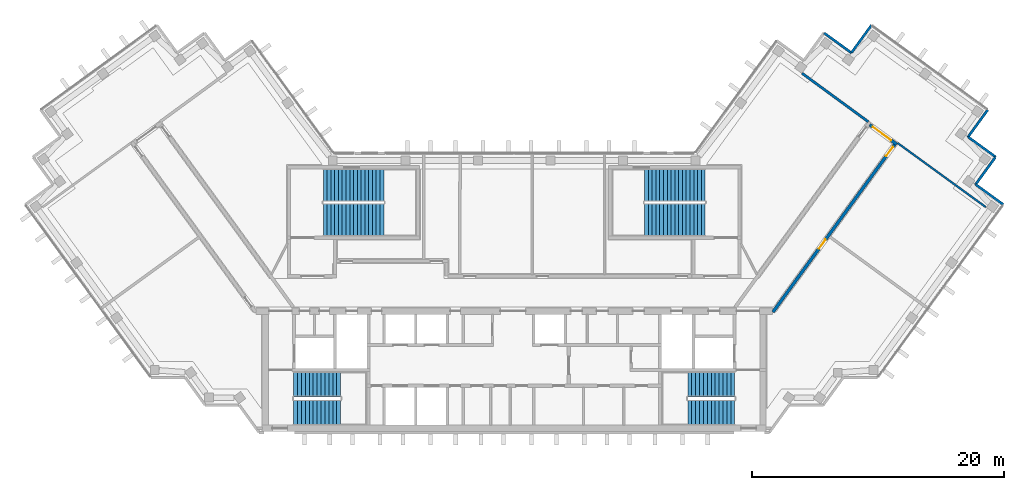
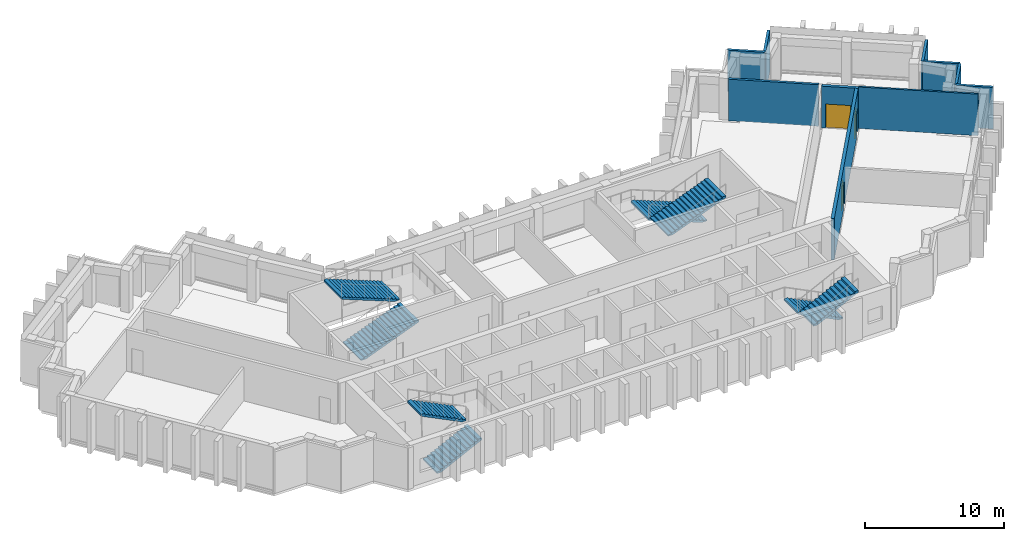
# One storey, part 7 of 9: 10 walls, 8 stair flights, 3 doors, 3 openings, 4 elements without a shape of their own.
"""IFC4 building model written with IfcOpenShell, lengths in metres."""

from ifc_helpers import new_model, si_unit, direction, frame, frame_2d, origin, place, context, subcontext, project, spatial, polyline, rectangle, outline, extrude, material, layer, layer_set, type_object, element, fill, aggregate, save


model = new_model("IFC4")

# Units and contexts
model_context = context("Model", 3, precision=1e-05, world=origin(), true_north=direction((0.0, 1.0)))
body_context = subcontext(model_context, "Body", "Model", "MODEL_VIEW")
ifc_project = project(units=[si_unit("LENGTHUNIT", "METRE"), si_unit("AREAUNIT", "SQUARE_METRE"), si_unit("VOLUMEUNIT", "CUBIC_METRE"), si_unit("PLANEANGLEUNIT", "RADIAN"), si_unit("MASSUNIT", "GRAM", prefix="KILO")], contexts=[model_context])

# Site, building, storey
site_placement = place(None, origin())
site = spatial("IfcSite", under=ifc_project, at=site_placement, CompositionType="ELEMENT")
building_placement = place(site_placement, origin())
building = spatial("IfcBuilding", under=site, at=building_placement, Name="Quipu Civic Tower", CompositionType="ELEMENT")
storey_placement = place(building_placement, frame((0.0, 0.0, 331.0)))
storey = spatial("IfcBuildingStorey", under=building, at=storey_placement, Name="L77", CompositionType="ELEMENT", Elevation=331.0)

# Walls
ifc_material_1 = material(Name="Double gypsum plasterboard with mineral wool")
ifc_layer_1 = layer(ifc_material_1, 0.14990234375)
ifc_layer_set_1 = layer_set([ifc_layer_1], Name="Double gypsum plasterboard with mineral wool")
wall_type_1 = type_object("IfcWallType", Name="Acoustic partition 150 plasterboard", PredefinedType="PARTITIONING", material=ifc_layer_set_1)
wall_1_placement = place(storey_placement, frame((30.414794921875, 11.901611328125, 0.0), z_axis=(0.0, 0.0, 1.0), x_axis=(0.809020922653, -0.587779845444, 0.0)))
element("IfcWall", 1, at=wall_1_placement, inside=storey, type_object=wall_type_1, Name="Partition P01", PredefinedType="PARTITIONING", context=body_context, shape_type="SweptSolid", body=[
    extrude(rectangle(XDim=8.670166015625, YDim=0.14990234375, at=frame_2d((4.3349609375, 0.0))), origin(), (0.0, 0.0, 1.0), 3.64990234375),
])
ifc_material_2 = material(Name="Fired clay blockwork", Category="masonry")
ifc_layer_2 = layer(ifc_material_2, 0.199951171875)
ifc_layer_set_2 = layer_set([ifc_layer_2], Name="Fired clay blockwork")
wall_type_2 = type_object("IfcWallType", Name="Blockwork wall 200", PredefinedType="SOLIDWALL", material=ifc_layer_set_2)
wall_2_placement = place(storey_placement, frame((22.843505859375, 17.43017578125, 0.0), z_axis=(0.0, 0.0, 1.0), x_axis=(0.80699548015, -0.590557613631, 0.0)))
element("IfcWall", 2, at=wall_2_placement, inside=storey, type_object=wall_type_2, Name="Partition P02", PredefinedType="SOLIDWALL", context=body_context, shape_type="SweptSolid", body=[
    extrude(rectangle(XDim=6.515380859375, YDim=0.199951171875, at=frame_2d((3.2578125, 0.0))), origin(), (0.0, 0.0, 1.0), 3.64990234375),
])

# Wall, opening, door
ifc_material_3 = material(Name="Concrete C50/60", Category="concrete")
ifc_layer_3 = layer(ifc_material_3, 0.25)
ifc_layer_set_3 = layer_set([ifc_layer_3], Name="Concrete C50/60")
wall_type_3 = type_object("IfcWallType", Name="Corridor wall 250 concrete", PredefinedType="SOLIDWALL", material=ifc_layer_set_3)
wall_3_placement = place(storey_placement, frame((28.21337890625, 13.34619140625, 0.0), z_axis=(0.0, 0.0, 1.0), x_axis=(0.809006914995, -0.587799125119, 0.0)))
wall_3 = element("IfcWall", 3, at=wall_3_placement, inside=storey, type_object=wall_type_3, Name="Corridor wall C02", PredefinedType="SOLIDWALL", context=body_context, shape_type="SweptSolid", body=[
    extrude(rectangle(XDim=2.64990234375, YDim=0.25, at=frame_2d((1.324951171875, 0.0))), origin(), (0.0, 0.0, 1.0), 3.64990234375),
])
opening_1_placement = place(wall_3_placement, frame((0.30029296875, 0.0, 0.0)))
opening_1 = element("IfcOpeningElement", 4, at=opening_1_placement, cuts=wall_3, Name="Opening D004", PredefinedType="OPENING", context=body_context, shape_type="SweptSolid", body=[
    extrude(rectangle(XDim=1.800048828125, YDim=2.10009765625, at=frame_2d((0.89990234375, 1.050048828125))), frame((0.0, 0.135009765625, 0.0), z_axis=(0.0, -1.0, 0.0), x_axis=(1.0, 0.0, 0.0)), (0.0, 0.0, 1.0), 0.27001953125),
])
ifc_material_4 = material(Name="Fire rated timber door set with metal frame", Category="wood")
door_type_1 = type_object("IfcDoorType", Name="Double door 1800 x 2100 FD60", OperationType="DOUBLE_DOOR_SINGLE_SWING", PredefinedType="DOOR", material=ifc_material_4)
door_1_placement = place(opening_1_placement, origin())
door_1 = element("IfcDoor", 5, at=door_1_placement, inside=storey, type_object=door_type_1, Name="Door D004", OperationType="DOUBLE_DOOR_SINGLE_SWING", OverallHeight=2.10009765625, OverallWidth=1.800048828125, PredefinedType="DOOR", context=body_context, shape_type="SweptSolid", body=[
    extrude(rectangle(XDim=1.800048828125, YDim=2.10009765625, at=frame_2d((0.89990234375, 1.050048828125))), frame((0.0, 0.02490234375, 0.0), z_axis=(0.0, -1.0, 0.0), x_axis=(1.0, 0.0, 0.0)), (0.0, 0.0, 1.0), 0.050048828125),
])
fill(opening_1, door_1)

# Wall, openings, doors
wall_4_placement = place(storey_placement, frame((30.1826171875, 11.760986328125, 0.0), z_axis=(0.0, 0.0, 1.0), x_axis=(-0.587781762867, -0.80901952958, 0.0)))
wall_4 = element("IfcWall", 6, at=wall_4_placement, inside=storey, type_object=wall_type_3, Name="Corridor wall C03", PredefinedType="SOLIDWALL", context=body_context, shape_type="SweptSolid", body=[
    extrude(rectangle(XDim=16.42041015625, YDim=0.25, at=frame_2d((8.210205078125, 0.0))), origin(), (0.0, 0.0, 1.0), 3.64990234375),
])
opening_2_placement = place(wall_4_placement, frame((0.224609375, 0.0, 0.0)))
opening_2 = element("IfcOpeningElement", 7, at=opening_2_placement, cuts=wall_4, Name="Opening D003", PredefinedType="OPENING", context=body_context, shape_type="SweptSolid", body=[
    extrude(rectangle(XDim=0.89990234375, YDim=2.10009765625, at=frame_2d((0.449951171875, 1.050048828125))), frame((0.0, 0.135009765625, 0.0), z_axis=(0.0, -1.0, 0.0), x_axis=(1.0, 0.0, 0.0)), (0.0, 0.0, 1.0), 0.27001953125),
])
opening_3_placement = place(wall_4_placement, frame((9.304443359375, 0.0, 0.0)))
opening_3 = element("IfcOpeningElement", 8, at=opening_3_placement, cuts=wall_4, Name="Opening D002", PredefinedType="OPENING", context=body_context, shape_type="SweptSolid", body=[
    extrude(rectangle(XDim=0.89990234375, YDim=2.10009765625, at=frame_2d((0.449951171875, 1.050048828125))), frame((0.0, 0.135009765625, 0.0), z_axis=(0.0, -1.0, 0.0), x_axis=(1.0, 0.0, 0.0)), (0.0, 0.0, 1.0), 0.27001953125),
])
ifc_material_5 = material(Name="Fire rated timber door set with metal frame", Category="wood")
door_type_2 = type_object("IfcDoorType", Name="Single door 900 x 2100 FD60", OperationType="NOTDEFINED", PredefinedType="DOOR", material=ifc_material_5)
door_2_placement = place(opening_2_placement, origin())
door_2 = element("IfcDoor", 9, at=door_2_placement, inside=storey, type_object=door_type_2, Name="Door D003", OperationType="SINGLE_SWING_LEFT", OverallHeight=2.10009765625, OverallWidth=0.89990234375, PredefinedType="DOOR", context=body_context, shape_type="SweptSolid", body=[
    extrude(rectangle(XDim=0.89990234375, YDim=2.10009765625, at=frame_2d((0.449951171875, 1.050048828125))), frame((0.0, 0.02490234375, 0.0), z_axis=(0.0, -1.0, 0.0), x_axis=(1.0, 0.0, 0.0)), (0.0, 0.0, 1.0), 0.050048828125),
])
fill(opening_2, door_2)
door_3_placement = place(opening_3_placement, origin())
door_3 = element("IfcDoor", 10, at=door_3_placement, inside=storey, type_object=door_type_2, Name="Door D002", OperationType="SINGLE_SWING_LEFT", OverallHeight=2.10009765625, OverallWidth=0.89990234375, PredefinedType="DOOR", context=body_context, shape_type="SweptSolid", body=[
    extrude(rectangle(XDim=0.89990234375, YDim=2.10009765625, at=frame_2d((0.449951171875, 1.050048828125))), frame((0.0, 0.02490234375, 0.0), z_axis=(0.0, -1.0, 0.0), x_axis=(1.0, 0.0, 0.0)), (0.0, 0.0, 1.0), 0.050048828125),
])
fill(opening_3, door_3)

# Walls
ifc_material_6 = material(Name="Precast concrete C40/50", Category="concrete")
wall_type_4 = type_object("IfcWallType", Name="Precast cladding wall", PredefinedType="SOLIDWALL", material=ifc_material_6)
for number, where, z_axis, x_axis, name in (
    (11, (38.813720703125, 7.010498046875, 0.0), (0.0, 0.0, 1.0), (-0.809033161865, 0.587762999008, 0.0), "Precast cladding wall L77 P05"),
    (12, (36.60205078125, 8.580322265625, 0.0), (0.0, 0.0, 1.0), (0.587822180636, 0.808990163075, 0.0), "Precast cladding wall L77 P06"),
    (13, (38.21630859375, 10.78173828125, 0.0), (0.0, 0.0, 1.0), (-0.809033161865, 0.587762999008, 0.0), "Precast cladding wall L77 P07"),
    (14, (36.0048828125, 12.3515625, 0.0), (0.0, 0.0, 1.0), (0.587762999008, 0.809033161865, 0.0), "Precast cladding wall L77 20"),
):
    element("IfcWall", number, at=place(storey_placement, frame(where, z_axis=z_axis, x_axis=x_axis)), inside=storey, type_object=wall_type_4, Name=name, PredefinedType="SOLIDWALL", context=body_context, shape_type="SweptSolid", body=[
        extrude(rectangle(XDim=2.699951171875, YDim=0.199951171875, at=frame_2d((1.35009765625, 0.0))), origin(), (0.0, 0.0, 1.0), 3.64990234375),
    ])
for number, where, z_axis, x_axis, name in (
    (15, (28.3544921875, 21.247314453125, 0.0), (0.0, 0.0, 1.0), (-0.587720002413, -0.809064397168, 0.0), "Precast cladding wall L77 22"),
    (16, (26.78466796875, 19.03564453125, 0.0), (0.0, 0.0, 1.0), (-0.809064397168, 0.587720002413, 0.0), "Precast cladding wall L77 23"),
):
    element("IfcWall", number, at=place(storey_placement, frame(where, z_axis=z_axis, x_axis=x_axis)), inside=storey, type_object=wall_type_4, Name=name, PredefinedType="SOLIDWALL", context=body_context, shape_type="SweptSolid", body=[
        extrude(rectangle(XDim=2.7001953125, YDim=0.199951171875, at=frame_2d((1.35009765625, 0.0))), origin(), (0.0, 0.0, 1.0), 3.64990234375),
    ])

# Stair, stair flights
ifc_material_7 = material(Name="Concrete C40/50", Category="concrete")
stair_type_1 = type_object("IfcStairType", Name="Half turn stair 2000", PredefinedType="HALF_TURN_STAIR", material=ifc_material_7)
stair_1_placement = place(storey_placement, origin())
stair_1 = element("IfcStair", 17, at=stair_1_placement, inside=storey, type_object=stair_type_1, Name="Exit stair 1", PredefinedType="HALF_TURN_STAIR")
ifc_material_8 = material(Name="Concrete C40/50", Category="concrete")
stair_flight_type_1 = type_object("IfcStairFlightType", Name="Stair flight 2000", PredefinedType="STRAIGHT", material=ifc_material_8)
stair_flight_1_placement = place(storey_placement, frame((-17.5, -9.5, 0.0), z_axis=(0.0, 0.0, 1.0), x_axis=(1.0, 0.0, 0.0)))
stair_flight_1 = element("IfcStairFlight", 18, at=stair_flight_1_placement, type_object=stair_flight_type_1, Name="ST-1 flight 1", NumberOfRisers=13, NumberOfTreads=12, PredefinedType="STRAIGHT", RiserHeight=0.153846154, TreadLength=0.31, context=body_context, shape_type="SweptSolid", body=[
    extrude(outline(polyline([(0.0, 0.0), (0.0, 0.15380859375), (0.31005859375, 0.15380859375), (0.31005859375, 0.3076171875), (0.6201171875, 0.3076171875), (0.6201171875, 0.46142578125), (0.929931640625, 0.46142578125), (0.929931640625, 0.615478515625), (1.239990234375, 0.615478515625), (1.239990234375, 0.769287109375), (1.550048828125, 0.769287109375), (1.550048828125, 0.923095703125), (1.860107421875, 0.923095703125), (1.860107421875, 1.076904296875), (2.169921875, 1.076904296875), (2.169921875, 1.230712890625), (2.47998046875, 1.230712890625), (2.47998046875, 1.384521484375), (2.7900390625, 1.384521484375), (2.7900390625, 1.53857421875), (3.10009765625, 1.53857421875), (3.10009765625, 1.6923828125), (3.409912109375, 1.6923828125), (3.409912109375, 1.84619140625), (3.719970703125, 1.84619140625), (3.719970703125, 2.0), (3.719970703125, 1.6787109375), (0.337158203125, 0.0), (0.0, 0.0)])), frame((0.0, 1.0, 0.0), z_axis=(0.0, -1.0, 0.0), x_axis=(1.0, 0.0, 0.0)), (0.0, 0.0, 1.0), 2.0),
])
stair_flight_2_placement = place(storey_placement, frame((-13.780029296875, -7.25, 2.0), z_axis=(0.0, 0.0, 1.0), x_axis=(-1.0, 0.0, 0.0)))
stair_flight_2 = element("IfcStairFlight", 19, at=stair_flight_2_placement, type_object=stair_flight_type_1, Name="ST-1 flight 2", NumberOfRisers=13, NumberOfTreads=12, PredefinedType="STRAIGHT", RiserHeight=0.153846154, TreadLength=0.31, context=body_context, shape_type="SweptSolid", body=[
    extrude(outline(polyline([(0.0, 0.0), (0.0, 0.15380859375), (0.31005859375, 0.15380859375), (0.31005859375, 0.3076171875), (0.6201171875, 0.3076171875), (0.6201171875, 0.46142578125), (0.929931640625, 0.46142578125), (0.929931640625, 0.615478515625), (1.239990234375, 0.615478515625), (1.239990234375, 0.769287109375), (1.550048828125, 0.769287109375), (1.550048828125, 0.923095703125), (1.860107421875, 0.923095703125), (1.860107421875, 1.076904296875), (2.169921875, 1.076904296875), (2.169921875, 1.230712890625), (2.47998046875, 1.230712890625), (2.47998046875, 1.384521484375), (2.7900390625, 1.384521484375), (2.7900390625, 1.53857421875), (3.10009765625, 1.53857421875), (3.10009765625, 1.6923828125), (3.409912109375, 1.6923828125), (3.409912109375, 1.84619140625), (3.719970703125, 1.84619140625), (3.719970703125, 2.0), (3.719970703125, 1.6787109375), (0.337158203125, 0.0), (0.0, 0.0)])), frame((0.0, 1.0, 0.0), z_axis=(0.0, -1.0, 0.0), x_axis=(1.0, 0.0, 0.0)), (0.0, 0.0, 1.0), 2.0),
])
aggregate(stair_1, [stair_flight_1, stair_flight_2])

stair_2_placement = place(storey_placement, origin())
stair_2 = element("IfcStair", 20, at=stair_2_placement, inside=storey, type_object=stair_type_1, Name="Exit stair 2", PredefinedType="HALF_TURN_STAIR")
stair_flight_3_placement = place(storey_placement, frame((17.5, -7.25, 0.0), z_axis=(0.0, 0.0, 1.0), x_axis=(-1.0, 0.0, 0.0)))
stair_flight_3 = element("IfcStairFlight", 21, at=stair_flight_3_placement, type_object=stair_flight_type_1, Name="ST-2 flight 1", NumberOfRisers=13, NumberOfTreads=12, PredefinedType="STRAIGHT", RiserHeight=0.153846154, TreadLength=0.31, context=body_context, shape_type="SweptSolid", body=[
    extrude(outline(polyline([(0.0, 0.0), (0.0, 0.15380859375), (0.31005859375, 0.15380859375), (0.31005859375, 0.3076171875), (0.6201171875, 0.3076171875), (0.6201171875, 0.46142578125), (0.929931640625, 0.46142578125), (0.929931640625, 0.615478515625), (1.239990234375, 0.615478515625), (1.239990234375, 0.769287109375), (1.550048828125, 0.769287109375), (1.550048828125, 0.923095703125), (1.860107421875, 0.923095703125), (1.860107421875, 1.076904296875), (2.169921875, 1.076904296875), (2.169921875, 1.230712890625), (2.47998046875, 1.230712890625), (2.47998046875, 1.384521484375), (2.7900390625, 1.384521484375), (2.7900390625, 1.53857421875), (3.10009765625, 1.53857421875), (3.10009765625, 1.6923828125), (3.409912109375, 1.6923828125), (3.409912109375, 1.84619140625), (3.719970703125, 1.84619140625), (3.719970703125, 2.0), (3.719970703125, 1.6787109375), (0.337158203125, 0.0), (0.0, 0.0)])), frame((0.0, 1.0, 0.0), z_axis=(0.0, -1.0, 0.0), x_axis=(1.0, 0.0, 0.0)), (0.0, 0.0, 1.0), 2.0),
])
stair_flight_4_placement = place(storey_placement, frame((13.780029296875, -9.5, 2.0), z_axis=(0.0, 0.0, 1.0), x_axis=(1.0, 0.0, 0.0)))
stair_flight_4 = element("IfcStairFlight", 22, at=stair_flight_4_placement, type_object=stair_flight_type_1, Name="ST-2 flight 2", NumberOfRisers=13, NumberOfTreads=12, PredefinedType="STRAIGHT", RiserHeight=0.153846154, TreadLength=0.31, context=body_context, shape_type="SweptSolid", body=[
    extrude(outline(polyline([(0.0, 0.0), (0.0, 0.15380859375), (0.31005859375, 0.15380859375), (0.31005859375, 0.3076171875), (0.6201171875, 0.3076171875), (0.6201171875, 0.46142578125), (0.929931640625, 0.46142578125), (0.929931640625, 0.615478515625), (1.239990234375, 0.615478515625), (1.239990234375, 0.769287109375), (1.550048828125, 0.769287109375), (1.550048828125, 0.923095703125), (1.860107421875, 0.923095703125), (1.860107421875, 1.076904296875), (2.169921875, 1.076904296875), (2.169921875, 1.230712890625), (2.47998046875, 1.230712890625), (2.47998046875, 1.384521484375), (2.7900390625, 1.384521484375), (2.7900390625, 1.53857421875), (3.10009765625, 1.53857421875), (3.10009765625, 1.6923828125), (3.409912109375, 1.6923828125), (3.409912109375, 1.84619140625), (3.719970703125, 1.84619140625), (3.719970703125, 2.0), (3.719970703125, 1.6787109375), (0.337158203125, 0.0), (0.0, 0.0)])), frame((0.0, 1.0, 0.0), z_axis=(0.0, -1.0, 0.0), x_axis=(1.0, 0.0, 0.0)), (0.0, 0.0, 1.0), 2.0),
])
aggregate(stair_2, [stair_flight_3, stair_flight_4])

ifc_material_9 = material(Name="Concrete C40/50", Category="concrete")
stair_type_2 = type_object("IfcStairType", Name="Half turn stair 2600", PredefinedType="HALF_TURN_STAIR", material=ifc_material_9)
stair_3_placement = place(storey_placement, origin())
stair_3 = element("IfcStair", 23, at=stair_3_placement, inside=storey, type_object=stair_type_2, Name="Exit stair 3", PredefinedType="HALF_TURN_STAIR")
ifc_material_10 = material(Name="Concrete C40/50", Category="concrete")
stair_flight_type_2 = type_object("IfcStairFlightType", Name="Stair flight 2600", PredefinedType="STRAIGHT", material=ifc_material_10)
stair_flight_5_placement = place(storey_placement, frame((-15.14990234375, 5.800048828125, 0.0), z_axis=(0.0, 0.0, 1.0), x_axis=(1.0, 0.0, 0.0)))
stair_flight_5 = element("IfcStairFlight", 24, at=stair_flight_5_placement, type_object=stair_flight_type_2, Name="ST-3 flight 1", NumberOfRisers=17, NumberOfTreads=16, PredefinedType="STRAIGHT", RiserHeight=0.117647059, TreadLength=0.3, context=body_context, shape_type="SweptSolid", body=[
    extrude(outline(polyline([(0.0, 0.0), (0.0, 0.11767578125), (0.300048828125, 0.11767578125), (0.300048828125, 0.2353515625), (0.60009765625, 0.2353515625), (0.60009765625, 0.35302734375), (0.89990234375, 0.35302734375), (0.89990234375, 0.470703125), (1.199951171875, 0.470703125), (1.199951171875, 0.588134765625), (1.5, 0.588134765625), (1.5, 0.705810546875), (1.800048828125, 0.705810546875), (1.800048828125, 0.823486328125), (2.10009765625, 0.823486328125), (2.10009765625, 0.941162109375), (2.39990234375, 0.941162109375), (2.39990234375, 1.058837890625), (2.699951171875, 1.058837890625), (2.699951171875, 1.176513671875), (3.0, 1.176513671875), (3.0, 1.294189453125), (3.300048828125, 1.294189453125), (3.300048828125, 1.411865234375), (3.60009765625, 1.411865234375), (3.60009765625, 1.529296875), (3.89990234375, 1.529296875), (3.89990234375, 1.64697265625), (4.199951171875, 1.64697265625), (4.199951171875, 1.7646484375), (4.5, 1.7646484375), (4.5, 1.88232421875), (4.800048828125, 1.88232421875), (4.800048828125, 2.0), (4.800048828125, 1.721435546875), (0.41064453125, 0.0), (0.0, 0.0)])), frame((0.0, 1.300048828125, 0.0), z_axis=(0.0, -1.0, 0.0), x_axis=(1.0, 0.0, 0.0)), (0.0, 0.0, 1.0), 2.60009765625),
])
stair_flight_6_placement = place(storey_placement, frame((-10.35009765625, 8.550048828125, 2.0), z_axis=(0.0, 0.0, 1.0), x_axis=(-1.0, 0.0, 0.0)))
stair_flight_6 = element("IfcStairFlight", 25, at=stair_flight_6_placement, type_object=stair_flight_type_2, Name="ST-3 flight 2", NumberOfRisers=17, NumberOfTreads=16, PredefinedType="STRAIGHT", RiserHeight=0.117647059, TreadLength=0.3, context=body_context, shape_type="SweptSolid", body=[
    extrude(outline(polyline([(0.0, 0.0), (0.0, 0.11767578125), (0.300048828125, 0.11767578125), (0.300048828125, 0.2353515625), (0.60009765625, 0.2353515625), (0.60009765625, 0.35302734375), (0.89990234375, 0.35302734375), (0.89990234375, 0.470703125), (1.199951171875, 0.470703125), (1.199951171875, 0.588134765625), (1.5, 0.588134765625), (1.5, 0.705810546875), (1.800048828125, 0.705810546875), (1.800048828125, 0.823486328125), (2.10009765625, 0.823486328125), (2.10009765625, 0.941162109375), (2.39990234375, 0.941162109375), (2.39990234375, 1.058837890625), (2.699951171875, 1.058837890625), (2.699951171875, 1.176513671875), (3.0, 1.176513671875), (3.0, 1.294189453125), (3.300048828125, 1.294189453125), (3.300048828125, 1.411865234375), (3.60009765625, 1.411865234375), (3.60009765625, 1.529296875), (3.89990234375, 1.529296875), (3.89990234375, 1.64697265625), (4.199951171875, 1.64697265625), (4.199951171875, 1.7646484375), (4.5, 1.7646484375), (4.5, 1.88232421875), (4.800048828125, 1.88232421875), (4.800048828125, 2.0), (4.800048828125, 1.721435546875), (0.41064453125, 0.0), (0.0, 0.0)])), frame((0.0, 1.300048828125, 0.0), z_axis=(0.0, -1.0, 0.0), x_axis=(1.0, 0.0, 0.0)), (0.0, 0.0, 1.0), 2.60009765625),
])
aggregate(stair_3, [stair_flight_5, stair_flight_6])

stair_4_placement = place(storey_placement, origin())
stair_4 = element("IfcStair", 26, at=stair_4_placement, inside=storey, type_object=stair_type_2, Name="Exit stair 4", PredefinedType="HALF_TURN_STAIR")
stair_flight_7_placement = place(storey_placement, frame((15.14990234375, 8.550048828125, 0.0), z_axis=(0.0, 0.0, 1.0), x_axis=(-1.0, 0.0, 0.0)))
stair_flight_7 = element("IfcStairFlight", 27, at=stair_flight_7_placement, type_object=stair_flight_type_2, Name="ST-4 flight 1", NumberOfRisers=17, NumberOfTreads=16, PredefinedType="STRAIGHT", RiserHeight=0.117647059, TreadLength=0.3, context=body_context, shape_type="SweptSolid", body=[
    extrude(outline(polyline([(0.0, 0.0), (0.0, 0.11767578125), (0.300048828125, 0.11767578125), (0.300048828125, 0.2353515625), (0.60009765625, 0.2353515625), (0.60009765625, 0.35302734375), (0.89990234375, 0.35302734375), (0.89990234375, 0.470703125), (1.199951171875, 0.470703125), (1.199951171875, 0.588134765625), (1.5, 0.588134765625), (1.5, 0.705810546875), (1.800048828125, 0.705810546875), (1.800048828125, 0.823486328125), (2.10009765625, 0.823486328125), (2.10009765625, 0.941162109375), (2.39990234375, 0.941162109375), (2.39990234375, 1.058837890625), (2.699951171875, 1.058837890625), (2.699951171875, 1.176513671875), (3.0, 1.176513671875), (3.0, 1.294189453125), (3.300048828125, 1.294189453125), (3.300048828125, 1.411865234375), (3.60009765625, 1.411865234375), (3.60009765625, 1.529296875), (3.89990234375, 1.529296875), (3.89990234375, 1.64697265625), (4.199951171875, 1.64697265625), (4.199951171875, 1.7646484375), (4.5, 1.7646484375), (4.5, 1.88232421875), (4.800048828125, 1.88232421875), (4.800048828125, 2.0), (4.800048828125, 1.721435546875), (0.41064453125, 0.0), (0.0, 0.0)])), frame((0.0, 1.300048828125, 0.0), z_axis=(0.0, -1.0, 0.0), x_axis=(1.0, 0.0, 0.0)), (0.0, 0.0, 1.0), 2.60009765625),
])
stair_flight_8_placement = place(storey_placement, frame((10.35009765625, 5.800048828125, 2.0), z_axis=(0.0, 0.0, 1.0), x_axis=(1.0, 0.0, 0.0)))
stair_flight_8 = element("IfcStairFlight", 28, at=stair_flight_8_placement, type_object=stair_flight_type_2, Name="ST-4 flight 2", NumberOfRisers=17, NumberOfTreads=16, PredefinedType="STRAIGHT", RiserHeight=0.117647059, TreadLength=0.3, context=body_context, shape_type="SweptSolid", body=[
    extrude(outline(polyline([(0.0, 0.0), (0.0, 0.11767578125), (0.300048828125, 0.11767578125), (0.300048828125, 0.2353515625), (0.60009765625, 0.2353515625), (0.60009765625, 0.35302734375), (0.89990234375, 0.35302734375), (0.89990234375, 0.470703125), (1.199951171875, 0.470703125), (1.199951171875, 0.588134765625), (1.5, 0.588134765625), (1.5, 0.705810546875), (1.800048828125, 0.705810546875), (1.800048828125, 0.823486328125), (2.10009765625, 0.823486328125), (2.10009765625, 0.941162109375), (2.39990234375, 0.941162109375), (2.39990234375, 1.058837890625), (2.699951171875, 1.058837890625), (2.699951171875, 1.176513671875), (3.0, 1.176513671875), (3.0, 1.294189453125), (3.300048828125, 1.294189453125), (3.300048828125, 1.411865234375), (3.60009765625, 1.411865234375), (3.60009765625, 1.529296875), (3.89990234375, 1.529296875), (3.89990234375, 1.64697265625), (4.199951171875, 1.64697265625), (4.199951171875, 1.7646484375), (4.5, 1.7646484375), (4.5, 1.88232421875), (4.800048828125, 1.88232421875), (4.800048828125, 2.0), (4.800048828125, 1.721435546875), (0.41064453125, 0.0), (0.0, 0.0)])), frame((0.0, 1.300048828125, 0.0), z_axis=(0.0, -1.0, 0.0), x_axis=(1.0, 0.0, 0.0)), (0.0, 0.0, 1.0), 2.60009765625),
])
aggregate(stair_4, [stair_flight_7, stair_flight_8])

save(model, "model.ifc")
